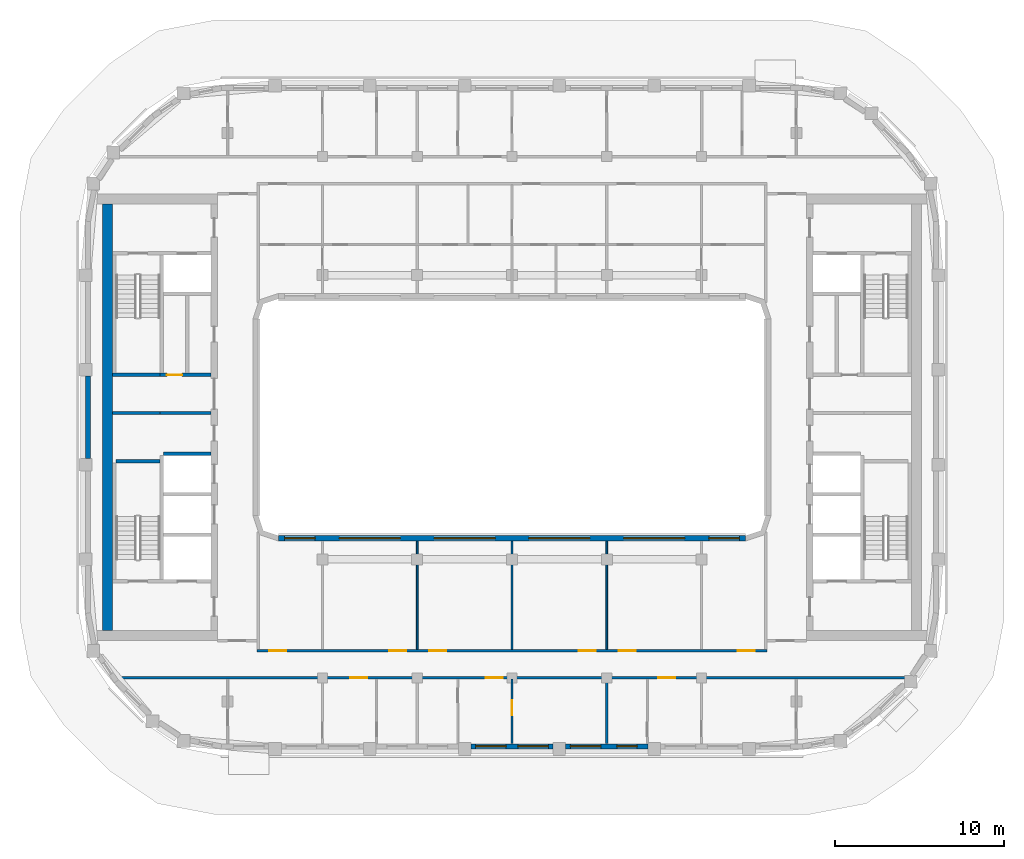
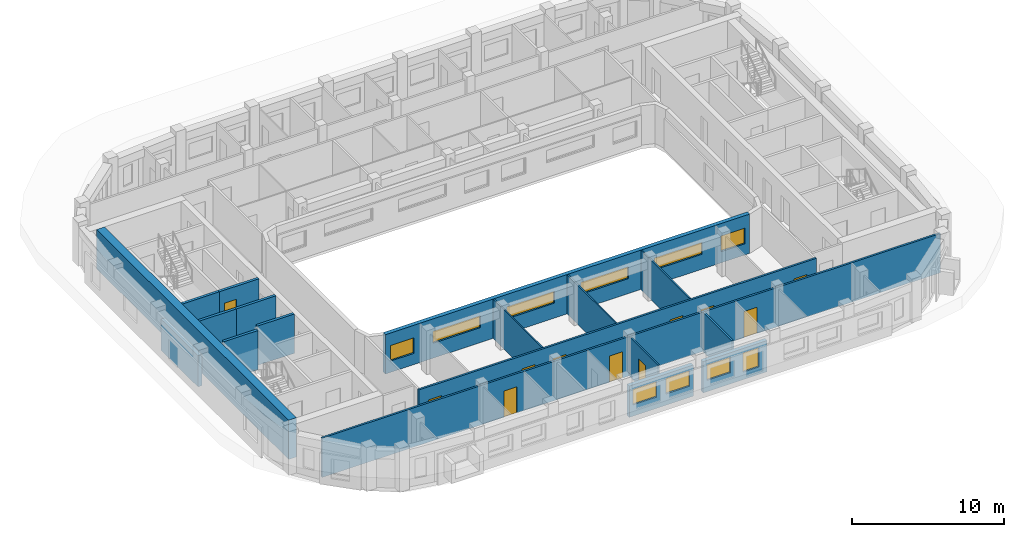
# One storey, part 3 of 14: 18 walls, 11 doors, 10 windows, 21 openings.
"""IFC4 building model written with IfcOpenShell, lengths in metres."""

from ifc_helpers import new_model, si_unit, direction, frame, frame_2d, origin, place, context, subcontext, project, spatial, rectangle, extrude, material, layer, layer_set, type_object, element, fill, save


model = new_model("IFC4")

# Units and contexts
model_context = context("Model", 3, precision=1e-05, world=origin(), true_north=direction((0.0, 1.0)))
body_context = subcontext(model_context, "Body", "Model", "MODEL_VIEW")
ifc_project = project(units=[si_unit("LENGTHUNIT", "METRE"), si_unit("AREAUNIT", "SQUARE_METRE"), si_unit("VOLUMEUNIT", "CUBIC_METRE"), si_unit("PLANEANGLEUNIT", "RADIAN"), si_unit("MASSUNIT", "GRAM", prefix="KILO")], contexts=[model_context])

# Site, building, storey
site_placement = place(None, origin())
site = spatial("IfcSite", under=ifc_project, at=site_placement, CompositionType="ELEMENT")
building_placement = place(site_placement, origin())
building = spatial("IfcBuilding", under=site, at=building_placement, Name="Kiln Ring Residences", CompositionType="ELEMENT")
storey_placement = place(building_placement, frame((0.0, 0.0, 280.199951171875)))
storey = spatial("IfcBuildingStorey", under=building, at=storey_placement, Name="L73", CompositionType="ELEMENT", Elevation=280.199951171875)

# Walls
ifc_material_1 = material(Name="Gypsum board on steel studs", Category="steel")
ifc_layer_1 = layer(ifc_material_1, 0.199951171875)
ifc_layer_set_1 = layer_set([ifc_layer_1], Name="CORE-PARTITION-200")
wall_type_1 = type_object("IfcWallType", Name="CORE-PARTITION-200", PredefinedType="PARTITIONING", material=ifc_layer_set_1)
wall_1_placement = place(storey_placement, frame((-20.800048828125, 0.25, 0.0), z_axis=(0.0, 0.0, 1.0), x_axis=(-1.0, 0.0, 0.0)))
element("IfcWall", 1, at=wall_1_placement, inside=storey, type_object=wall_type_1, Name="Core partition west L73 1", PredefinedType="PARTITIONING", context=body_context, shape_type="SweptSolid", body=[
    extrude(rectangle(XDim=2.800048828125, YDim=0.199951171875, at=frame_2d((1.39990234375, 0.0))), origin(), (0.0, 0.0, 1.0), 3.150146484375),
])
ifc_material_2 = material(Name="Gypsum shaft wall system")
ifc_layer_2 = layer(ifc_material_2, 0.199951171875)
ifc_layer_set_2 = layer_set([ifc_layer_2], Name="CORE-SHAFT-WALL-200")
wall_type_2 = type_object("IfcWallType", Name="CORE-SHAFT-WALL-200", PredefinedType="PARTITIONING", material=ifc_layer_set_2)
wall_2_placement = place(storey_placement, frame((-17.800048828125, -2.14990234375, 0.0), z_axis=(0.0, 0.0, 1.0), x_axis=(-1.0, 0.0, 0.0)))
element("IfcWall", 2, at=wall_2_placement, inside=storey, type_object=wall_type_2, Name="Core partition west L73 5", PredefinedType="PARTITIONING", context=body_context, shape_type="SweptSolid", body=[
    extrude(rectangle(XDim=2.800048828125, YDim=0.199951171875, at=frame_2d((1.39990234375, 0.0))), origin(), (0.0, 0.0, 1.0), 3.150146484375),
])
wall_3_placement = place(storey_placement, frame((-17.800048828125, 0.25, 0.0), z_axis=(0.0, 0.0, 1.0), x_axis=(-1.0, 0.0, 0.0)))
element("IfcWall", 3, at=wall_3_placement, inside=storey, type_object=wall_type_2, Name="Core partition west L73 6", PredefinedType="PARTITIONING", context=body_context, shape_type="SweptSolid", body=[
    extrude(rectangle(XDim=3.0, YDim=0.199951171875, at=frame_2d((1.5, 0.0))), origin(), (0.0, 0.0, 1.0), 3.150146484375),
])

# Wall, opening, door
wall_4_placement = place(storey_placement, frame((-17.800048828125, 2.5, 0.0), z_axis=(0.0, 0.0, 1.0), x_axis=(-1.0, 0.0, 0.0)))
wall_4 = element("IfcWall", 4, at=wall_4_placement, inside=storey, type_object=wall_type_2, Name="Core partition west L73 7", PredefinedType="PARTITIONING", context=body_context, shape_type="SweptSolid", body=[
    extrude(rectangle(XDim=3.0, YDim=0.199951171875, at=frame_2d((1.5, 0.0))), origin(), (0.0, 0.0, 1.0), 3.150146484375),
])
opening_1_placement = place(wall_4_placement, frame((1.699951171875, 0.0, 0.0)))
opening_1 = element("IfcOpeningElement", 5, at=opening_1_placement, cuts=wall_4, Name="Opening L73-CW06", PredefinedType="OPENING", context=body_context, shape_type="SweptSolid", body=[
    extrude(rectangle(XDim=0.89990234375, YDim=2.10009765625, at=frame_2d((0.449951171875, 1.050048828125))), frame((0.0, 0.10986328125, 0.0), z_axis=(0.0, -1.0, 0.0), x_axis=(1.0, 0.0, 0.0)), (0.0, 0.0, 1.0), 0.219970703125),
])
ifc_material_3 = material(Name="Steel door leaf", Category="steel")
door_type_1 = type_object("IfcDoorType", Name="CORE-DOOR-ROOM", OperationType="SINGLE_SWING_LEFT", PredefinedType="DOOR", material=ifc_material_3)
door_1_placement = place(opening_1_placement, origin())
door_1 = element("IfcDoor", 6, at=door_1_placement, inside=storey, type_object=door_type_1, Name="Linen store L73-CW06", OperationType="SINGLE_SWING_LEFT", OverallHeight=2.10009765625, OverallWidth=0.89990234375, PredefinedType="DOOR", context=body_context, shape_type="SweptSolid", body=[
    extrude(rectangle(XDim=0.89990234375, YDim=2.10009765625, at=frame_2d((0.449951171875, 1.050048828125))), frame((0.0, 0.02490234375, 0.0), z_axis=(0.0, -1.0, 0.0), x_axis=(1.0, 0.0, 0.0)), (0.0, 0.0, 1.0), 0.050048828125),
])
fill(opening_1, door_1)

# Walls
ifc_material_4 = material(Name="Concrete C40/50", Category="concrete")
ifc_layer_3 = layer(ifc_material_4, 0.199951171875)
ifc_layer_set_3 = layer_set([ifc_layer_3], Name="CORE-WALL-RC200")
wall_type_3 = type_object("IfcWallType", Name="CORE-WALL-RC200", PredefinedType="SHEAR", material=ifc_layer_set_3)
wall_5_placement = place(storey_placement, frame((-20.800048828125, 2.5, 0.0), z_axis=(0.0, 0.0, 1.0), x_axis=(-1.0, 0.0, 0.0)))
element("IfcWall", 7, at=wall_5_placement, inside=storey, type_object=wall_type_3, Name="Core wall west L73 3", PredefinedType="SHEAR", context=body_context, shape_type="SweptSolid", body=[
    extrude(rectangle(XDim=2.800048828125, YDim=0.199951171875, at=frame_2d((1.39990234375, 0.0))), origin(), (0.0, 0.0, 1.0), 3.150146484375),
])
wall_6_placement = place(storey_placement, frame((-20.800048828125, -2.60009765625, 0.0), z_axis=(0.0, 0.0, 1.0), x_axis=(-1.0, 0.0, 0.0)))
element("IfcWall", 8, at=wall_6_placement, inside=storey, type_object=wall_type_3, Name="Core wall west L73 12", PredefinedType="SHEAR", context=body_context, shape_type="SweptSolid", body=[
    extrude(rectangle(XDim=2.599853515625, YDim=0.199951171875, at=frame_2d((1.2998046875, 0.0))), origin(), (0.0, 0.0, 1.0), 3.150146484375),
])
ifc_material_5 = material(Name="Concrete C60/75", Category="concrete")
ifc_layer_4 = layer(ifc_material_5, 0.60009765625)
ifc_layer_set_4 = layer_set([ifc_layer_4], Name="CORE-WALL-RC600")
wall_type_4 = type_object("IfcWallType", Name="CORE-WALL-RC600", PredefinedType="SHEAR", material=ifc_layer_set_4)
wall_7_placement = place(storey_placement, frame((-23.89990234375, -12.60009765625, 0.0), z_axis=(0.0, 0.0, 1.0), x_axis=(0.0, 1.0, 0.0)))
element("IfcWall", 9, at=wall_7_placement, inside=storey, type_object=wall_type_4, Name="Core wall west L73 7", PredefinedType="SHEAR", context=body_context, shape_type="SweptSolid", body=[
    extrude(rectangle(XDim=25.2001953125, YDim=0.60009765625, at=frame_2d((12.60009765625, 0.0))), origin(), (0.0, 0.0, 1.0), 3.150146484375),
])

# Wall, openings, windows
ifc_material_6 = material(Name="Brick masonry, dark clay brick", Category="masonry")
ifc_layer_5 = layer(ifc_material_6, 0.300048828125)
ifc_layer_set_5 = layer_set([ifc_layer_5], Name="EW-300 BRICK WALL")
wall_type_5 = type_object("IfcWallType", Name="EW-300 BRICK WALL", PredefinedType="SOLIDWALL", material=ifc_layer_set_5)
wall_8_placement = place(storey_placement, frame((-2.425048828125, -19.449951171875, 0.0), z_axis=(0.0, 0.0, 1.0), x_axis=(1.0, 0.0, 0.0)))
wall_8 = element("IfcWall", 10, at=wall_8_placement, inside=storey, type_object=wall_type_5, Name="Facade wall L73 7", PredefinedType="SOLIDWALL", context=body_context, shape_type="SweptSolid", body=[
    extrude(rectangle(XDim=4.85009765625, YDim=0.300048828125, at=frame_2d((2.425048828125, 0.0))), origin(), (0.0, 0.0, 1.0), 2.5),
])
opening_2_placement = place(wall_8_placement, frame((0.27490234375, 0.0, 0.89990234375)))
opening_2 = element("IfcOpeningElement", 11, at=opening_2_placement, cuts=wall_8, Name="Opening W2", PredefinedType="OPENING", context=body_context, shape_type="SweptSolid", body=[
    extrude(rectangle(XDim=1.800048828125, YDim=1.25, at=frame_2d((0.89990234375, 0.625))), frame((0.0, 0.159912109375, 0.0), z_axis=(0.0, -1.0, 0.0), x_axis=(1.0, 0.0, 0.0)), (0.0, 0.0, 1.0), 0.320068359375),
])
opening_3_placement = place(wall_8_placement, frame((2.77490234375, 0.0, 0.89990234375)))
opening_3 = element("IfcOpeningElement", 12, at=opening_3_placement, cuts=wall_8, Name="Opening W2", PredefinedType="OPENING", context=body_context, shape_type="SweptSolid", body=[
    extrude(rectangle(XDim=1.800048828125, YDim=1.25, at=frame_2d((0.89990234375, 0.625))), frame((0.0, 0.159912109375, 0.0), z_axis=(0.0, -1.0, 0.0), x_axis=(1.0, 0.0, 0.0)), (0.0, 0.0, 1.0), 0.320068359375),
])
ifc_material_7 = material(Name="Aluminium frame with double glazing", Category="aluminium")
window_type_1 = type_object("IfcWindowType", Name="WINDOW 1800 x 1250", PartitioningType="SINGLE_PANEL", PredefinedType="WINDOW", material=ifc_material_7)
window_1_placement = place(opening_2_placement, origin())
window_1 = element("IfcWindow", 13, at=window_1_placement, inside=storey, type_object=window_type_1, Name="Window L73 8", OverallHeight=1.25, OverallWidth=1.800048828125, PartitioningType="SINGLE_PANEL", PredefinedType="WINDOW", context=body_context, shape_type="SweptSolid", body=[
    extrude(rectangle(XDim=1.800048828125, YDim=1.25, at=frame_2d((0.89990234375, 0.625))), frame((0.0, 0.030029296875, 0.0), z_axis=(0.0, -1.0, 0.0), x_axis=(1.0, 0.0, 0.0)), (0.0, 0.0, 1.0), 0.06005859375),
])
fill(opening_2, window_1)
window_2_placement = place(opening_3_placement, origin())
window_2 = element("IfcWindow", 14, at=window_2_placement, inside=storey, type_object=window_type_1, Name="Window L73 9", OverallHeight=1.25, OverallWidth=1.800048828125, PartitioningType="SINGLE_PANEL", PredefinedType="WINDOW", context=body_context, shape_type="SweptSolid", body=[
    extrude(rectangle(XDim=1.800048828125, YDim=1.25, at=frame_2d((0.89990234375, 0.625))), frame((0.0, 0.030029296875, 0.0), z_axis=(0.0, -1.0, 0.0), x_axis=(1.0, 0.0, 0.0)), (0.0, 0.0, 1.0), 0.06005859375),
])
fill(opening_3, window_2)

wall_9_placement = place(storey_placement, frame((3.175048828125, -19.449951171875, 0.0), z_axis=(0.0, 0.0, 1.0), x_axis=(1.0, 0.0, 0.0)))
wall_9 = element("IfcWall", 15, at=wall_9_placement, inside=storey, type_object=wall_type_5, Name="Facade wall L73 8", PredefinedType="SOLIDWALL", context=body_context, shape_type="SweptSolid", body=[
    extrude(rectangle(XDim=4.849853515625, YDim=0.300048828125, at=frame_2d((2.4248046875, 0.0))), origin(), (0.0, 0.0, 1.0), 2.5),
])
opening_4_placement = place(wall_9_placement, frame((0.27490234375, 0.0, 0.89990234375)))
opening_4 = element("IfcOpeningElement", 16, at=opening_4_placement, cuts=wall_9, Name="Opening W2", PredefinedType="OPENING", context=body_context, shape_type="SweptSolid", body=[
    extrude(rectangle(XDim=1.800048828125, YDim=1.25, at=frame_2d((0.89990234375, 0.625))), frame((0.0, 0.159912109375, 0.0), z_axis=(0.0, -1.0, 0.0), x_axis=(1.0, 0.0, 0.0)), (0.0, 0.0, 1.0), 0.320068359375),
])
opening_5_placement = place(wall_9_placement, frame((3.02490234375, 0.0, 0.60009765625)))
opening_5 = element("IfcOpeningElement", 17, at=opening_5_placement, cuts=wall_9, Name="Opening W1", PredefinedType="OPENING", context=body_context, shape_type="SweptSolid", body=[
    extrude(rectangle(XDim=1.199951171875, YDim=1.550048828125, at=frame_2d((0.60009765625, 0.77490234375))), frame((0.0, 0.159912109375, 0.0), z_axis=(0.0, -1.0, 0.0), x_axis=(1.0, 0.0, 0.0)), (0.0, 0.0, 1.0), 0.320068359375),
])
ifc_material_8 = material(Name="Aluminium frame with double glazing", Category="aluminium")
window_type_2 = type_object("IfcWindowType", Name="WINDOW 1200 x 1550", PartitioningType="SINGLE_PANEL", PredefinedType="WINDOW", material=ifc_material_8)
window_3_placement = place(opening_5_placement, origin())
window_3 = element("IfcWindow", 18, at=window_3_placement, inside=storey, type_object=window_type_2, Name="Window L73 11", OverallHeight=1.550048828125, OverallWidth=1.199951171875, PartitioningType="SINGLE_PANEL", PredefinedType="WINDOW", context=body_context, shape_type="SweptSolid", body=[
    extrude(rectangle(XDim=1.199951171875, YDim=1.550048828125, at=frame_2d((0.60009765625, 0.77490234375))), frame((0.0, 0.030029296875, 0.0), z_axis=(0.0, -1.0, 0.0), x_axis=(1.0, 0.0, 0.0)), (0.0, 0.0, 1.0), 0.06005859375),
])
fill(opening_5, window_3)
window_4_placement = place(opening_4_placement, origin())
window_4 = element("IfcWindow", 19, at=window_4_placement, inside=storey, type_object=window_type_1, Name="Window L73 10", OverallHeight=1.25, OverallWidth=1.800048828125, PartitioningType="SINGLE_PANEL", PredefinedType="WINDOW", context=body_context, shape_type="SweptSolid", body=[
    extrude(rectangle(XDim=1.800048828125, YDim=1.25, at=frame_2d((0.89990234375, 0.625))), frame((0.0, 0.030029296875, 0.0), z_axis=(0.0, -1.0, 0.0), x_axis=(1.0, 0.0, 0.0)), (0.0, 0.0, 1.0), 0.06005859375),
])
fill(opening_4, window_4)

# Wall
wall_10_placement = place(storey_placement, frame((-25.050048828125, 2.425048828125, 0.0), z_axis=(0.0, 0.0, 1.0), x_axis=(0.0, -1.0, 0.0)))
element("IfcWall", 20, at=wall_10_placement, inside=storey, type_object=wall_type_5, Name="Facade wall L73 40", PredefinedType="SOLIDWALL", context=body_context, shape_type="SweptSolid", body=[
    extrude(rectangle(XDim=4.85009765625, YDim=0.300048828125, at=frame_2d((2.425048828125, 0.0))), origin(), (0.0, 0.0, 1.0), 2.5),
])

# Wall, openings, windows
wall_11_placement = place(storey_placement, frame((13.800048828125, -7.14990234375, 0.0), z_axis=(0.0, 0.0, 1.0), x_axis=(-1.0, 0.0, 0.0)))
wall_11 = element("IfcWall", 21, at=wall_11_placement, inside=storey, type_object=wall_type_5, Name="Facade wall L73 48", PredefinedType="SOLIDWALL", context=body_context, shape_type="SweptSolid", body=[
    extrude(rectangle(XDim=27.60009765625, YDim=0.300048828125, at=frame_2d((13.800048828125, 0.0))), origin(), (0.0, 0.0, 1.0), 3.150146484375),
])
opening_6_placement = place(wall_11_placement, frame((0.362548828125, 0.0, 0.89990234375)))
opening_6 = element("IfcOpeningElement", 22, at=opening_6_placement, cuts=wall_11, Name="Opening W2", PredefinedType="OPENING", context=body_context, shape_type="SweptSolid", body=[
    extrude(rectangle(XDim=1.800048828125, YDim=1.25, at=frame_2d((0.89990234375, 0.625))), frame((0.0, 0.159912109375, 0.0), z_axis=(0.0, -1.0, 0.0), x_axis=(1.0, 0.0, 0.0)), (0.0, 0.0, 1.0), 0.320068359375),
])
opening_7_placement = place(wall_11_placement, frame((3.60009765625, 0.0, 1.199951171875)))
opening_7 = element("IfcOpeningElement", 23, at=opening_7_placement, cuts=wall_11, Name="Opening W4", PredefinedType="OPENING", context=body_context, shape_type="SweptSolid", body=[
    extrude(rectangle(XDim=3.60009765625, YDim=0.949951171875, at=frame_2d((1.800048828125, 0.47509765625))), frame((0.0, 0.159912109375, 0.0), z_axis=(0.0, -1.0, 0.0), x_axis=(1.0, 0.0, 0.0)), (0.0, 0.0, 1.0), 0.320068359375),
])
opening_8_placement = place(wall_11_placement, frame((9.199951171875, 0.0, 1.199951171875)))
opening_8 = element("IfcOpeningElement", 24, at=opening_8_placement, cuts=wall_11, Name="Opening W4", PredefinedType="OPENING", context=body_context, shape_type="SweptSolid", body=[
    extrude(rectangle(XDim=3.60009765625, YDim=0.949951171875, at=frame_2d((1.800048828125, 0.47509765625))), frame((0.0, 0.159912109375, 0.0), z_axis=(0.0, -1.0, 0.0), x_axis=(1.0, 0.0, 0.0)), (0.0, 0.0, 1.0), 0.320068359375),
])
opening_9_placement = place(wall_11_placement, frame((14.800048828125, 0.0, 1.199951171875)))
opening_9 = element("IfcOpeningElement", 25, at=opening_9_placement, cuts=wall_11, Name="Opening W4", PredefinedType="OPENING", context=body_context, shape_type="SweptSolid", body=[
    extrude(rectangle(XDim=3.60009765625, YDim=0.949951171875, at=frame_2d((1.800048828125, 0.47509765625))), frame((0.0, 0.159912109375, 0.0), z_axis=(0.0, -1.0, 0.0), x_axis=(1.0, 0.0, 0.0)), (0.0, 0.0, 1.0), 0.320068359375),
])
opening_10_placement = place(wall_11_placement, frame((20.39990234375, 0.0, 1.199951171875)))
opening_10 = element("IfcOpeningElement", 26, at=opening_10_placement, cuts=wall_11, Name="Opening W4", PredefinedType="OPENING", context=body_context, shape_type="SweptSolid", body=[
    extrude(rectangle(XDim=3.60009765625, YDim=0.949951171875, at=frame_2d((1.800048828125, 0.47509765625))), frame((0.0, 0.159912109375, 0.0), z_axis=(0.0, -1.0, 0.0), x_axis=(1.0, 0.0, 0.0)), (0.0, 0.0, 1.0), 0.320068359375),
])
opening_11_placement = place(wall_11_placement, frame((25.4375, 0.0, 0.89990234375)))
opening_11 = element("IfcOpeningElement", 27, at=opening_11_placement, cuts=wall_11, Name="Opening W2", PredefinedType="OPENING", context=body_context, shape_type="SweptSolid", body=[
    extrude(rectangle(XDim=1.800048828125, YDim=1.25, at=frame_2d((0.89990234375, 0.625))), frame((0.0, 0.159912109375, 0.0), z_axis=(0.0, -1.0, 0.0), x_axis=(1.0, 0.0, 0.0)), (0.0, 0.0, 1.0), 0.320068359375),
])
window_5_placement = place(opening_6_placement, origin())
window_5 = element("IfcWindow", 28, at=window_5_placement, inside=storey, type_object=window_type_1, Name="Window L73 44", OverallHeight=1.25, OverallWidth=1.800048828125, PartitioningType="SINGLE_PANEL", PredefinedType="WINDOW", context=body_context, shape_type="SweptSolid", body=[
    extrude(rectangle(XDim=1.800048828125, YDim=1.25, at=frame_2d((0.89990234375, 0.625))), frame((0.0, 0.030029296875, 0.0), z_axis=(0.0, -1.0, 0.0), x_axis=(1.0, 0.0, 0.0)), (0.0, 0.0, 1.0), 0.06005859375),
])
fill(opening_6, window_5)
window_6_placement = place(opening_11_placement, origin())
window_6 = element("IfcWindow", 29, at=window_6_placement, inside=storey, type_object=window_type_1, Name="Window L73 49", OverallHeight=1.25, OverallWidth=1.800048828125, PartitioningType="SINGLE_PANEL", PredefinedType="WINDOW", context=body_context, shape_type="SweptSolid", body=[
    extrude(rectangle(XDim=1.800048828125, YDim=1.25, at=frame_2d((0.89990234375, 0.625))), frame((0.0, 0.030029296875, 0.0), z_axis=(0.0, -1.0, 0.0), x_axis=(1.0, 0.0, 0.0)), (0.0, 0.0, 1.0), 0.06005859375),
])
fill(opening_11, window_6)
ifc_material_9 = material(Name="Aluminium frame with double glazing", Category="aluminium")
window_type_3 = type_object("IfcWindowType", Name="WINDOW 3600 x 950", PartitioningType="SINGLE_PANEL", PredefinedType="WINDOW", material=ifc_material_9)
window_7_placement = place(opening_7_placement, origin())
window_7 = element("IfcWindow", 30, at=window_7_placement, inside=storey, type_object=window_type_3, Name="Window L73 45", OverallHeight=0.949951171875, OverallWidth=3.60009765625, PartitioningType="SINGLE_PANEL", PredefinedType="WINDOW", context=body_context, shape_type="SweptSolid", body=[
    extrude(rectangle(XDim=3.60009765625, YDim=0.949951171875, at=frame_2d((1.800048828125, 0.47509765625))), frame((0.0, 0.030029296875, 0.0), z_axis=(0.0, -1.0, 0.0), x_axis=(1.0, 0.0, 0.0)), (0.0, 0.0, 1.0), 0.06005859375),
])
fill(opening_7, window_7)
window_8_placement = place(opening_8_placement, origin())
window_8 = element("IfcWindow", 31, at=window_8_placement, inside=storey, type_object=window_type_3, Name="Window L73 46", OverallHeight=0.949951171875, OverallWidth=3.60009765625, PartitioningType="SINGLE_PANEL", PredefinedType="WINDOW", context=body_context, shape_type="SweptSolid", body=[
    extrude(rectangle(XDim=3.60009765625, YDim=0.949951171875, at=frame_2d((1.800048828125, 0.47509765625))), frame((0.0, 0.030029296875, 0.0), z_axis=(0.0, -1.0, 0.0), x_axis=(1.0, 0.0, 0.0)), (0.0, 0.0, 1.0), 0.06005859375),
])
fill(opening_8, window_8)
window_9_placement = place(opening_9_placement, origin())
window_9 = element("IfcWindow", 32, at=window_9_placement, inside=storey, type_object=window_type_3, Name="Window L73 47", OverallHeight=0.949951171875, OverallWidth=3.60009765625, PartitioningType="SINGLE_PANEL", PredefinedType="WINDOW", context=body_context, shape_type="SweptSolid", body=[
    extrude(rectangle(XDim=3.60009765625, YDim=0.949951171875, at=frame_2d((1.800048828125, 0.47509765625))), frame((0.0, 0.030029296875, 0.0), z_axis=(0.0, -1.0, 0.0), x_axis=(1.0, 0.0, 0.0)), (0.0, 0.0, 1.0), 0.06005859375),
])
fill(opening_9, window_9)
window_10_placement = place(opening_10_placement, origin())
window_10 = element("IfcWindow", 33, at=window_10_placement, inside=storey, type_object=window_type_3, Name="Window L73 48", OverallHeight=0.949951171875, OverallWidth=3.60009765625, PartitioningType="SINGLE_PANEL", PredefinedType="WINDOW", context=body_context, shape_type="SweptSolid", body=[
    extrude(rectangle(XDim=3.60009765625, YDim=0.949951171875, at=frame_2d((1.800048828125, 0.47509765625))), frame((0.0, 0.030029296875, 0.0), z_axis=(0.0, -1.0, 0.0), x_axis=(1.0, 0.0, 0.0)), (0.0, 0.0, 1.0), 0.06005859375),
])
fill(opening_10, window_10)

# Wall
ifc_material_10 = material(Name="Gypsum board on steel studs", Category="steel")
ifc_layer_6 = layer(ifc_material_10, 0.10009765625)
ifc_layer_set_6 = layer_set([ifc_layer_6], Name="PARTITION-100")
wall_type_6 = type_object("IfcWallType", Name="PARTITION-100", PredefinedType="PARTITIONING", material=ifc_layer_set_6)
wall_12_placement = place(storey_placement, frame((-5.60009765625, -13.72509765625, 0.0), z_axis=(0.0, 0.0, 1.0), x_axis=(0.0, 1.0, 0.0)))
element("IfcWall", 34, at=wall_12_placement, inside=storey, type_object=wall_type_6, Name="Partition 020", PredefinedType="PARTITIONING", context=body_context, shape_type="SweptSolid", body=[
    extrude(rectangle(XDim=6.405029296875, YDim=0.10009765625, at=frame_2d((3.20263671875, 0.0))), origin(), (0.0, 0.0, 1.0), 3.150146484375),
])

# Wall, opening, door
wall_13_placement = place(storey_placement, frame((0.0, -19.280029296875, 0.0), z_axis=(0.0, 0.0, 1.0), x_axis=(0.0, 1.0, 0.0)))
wall_13 = element("IfcWall", 35, at=wall_13_placement, inside=storey, type_object=wall_type_6, Name="Partition 028", PredefinedType="PARTITIONING", context=body_context, shape_type="SweptSolid", body=[
    extrude(rectangle(XDim=3.804931640625, YDim=0.10009765625, at=frame_2d((1.90234375, 0.0))), origin(), (0.0, 0.0, 1.0), 3.150146484375),
])
opening_12_placement = place(wall_13_placement, frame((1.669921875, 0.0, 0.0)))
opening_12 = element("IfcOpeningElement", 36, at=opening_12_placement, cuts=wall_13, Name="Opening L73-D042", PredefinedType="OPENING", context=body_context, shape_type="SweptSolid", body=[
    extrude(rectangle(XDim=0.89990234375, YDim=2.10009765625, at=frame_2d((0.449951171875, 1.050048828125))), frame((0.0, 0.06005859375, 0.0), z_axis=(0.0, -1.0, 0.0), x_axis=(1.0, 0.0, 0.0)), (0.0, 0.0, 1.0), 0.1201171875),
])
ifc_material_11 = material(Name="Timber door leaf", Category="wood")
door_type_2 = type_object("IfcDoorType", Name="FLAT-DOOR-900-PL", OperationType="SINGLE_SWING_LEFT", PredefinedType="DOOR", material=ifc_material_11)
door_2_placement = place(opening_12_placement, origin())
door_2 = element("IfcDoor", 37, at=door_2_placement, inside=storey, type_object=door_type_2, Name="Door L73-D042", OperationType="SINGLE_SWING_RIGHT", OverallHeight=2.10009765625, OverallWidth=0.89990234375, PredefinedType="DOOR", context=body_context, shape_type="SweptSolid", body=[
    extrude(rectangle(XDim=0.89990234375, YDim=2.10009765625, at=frame_2d((0.449951171875, 1.050048828125))), frame((0.0, 0.02490234375, 0.0), z_axis=(0.0, -1.0, 0.0), x_axis=(1.0, 0.0, 0.0)), (0.0, 0.0, 1.0), 0.050048828125),
])
fill(opening_12, door_2)

# Walls
for number, where, z_axis, x_axis, name in (
    (38, (0.0, -13.72509765625, 0.0), (0.0, 0.0, 1.0), (0.0, 1.0, 0.0), "Partition 029"),
    (39, (5.60009765625, -13.72509765625, 0.0), (0.0, 0.0, 1.0), (0.0, 1.0, 0.0), "Partition 034"),
):
    element("IfcWall", number, at=place(storey_placement, frame(where, z_axis=z_axis, x_axis=x_axis)), inside=storey, type_object=wall_type_6, Name=name, PredefinedType="PARTITIONING", context=body_context, shape_type="SweptSolid", body=[
        extrude(rectangle(XDim=6.405029296875, YDim=0.10009765625, at=frame_2d((3.20263671875, 0.0))), origin(), (0.0, 0.0, 1.0), 3.150146484375),
    ])

# Wall, openings, doors
ifc_material_12 = material(Name="Brick masonry partition", Category="masonry")
ifc_layer_7 = layer(ifc_material_12, 0.14990234375)
ifc_layer_set_7 = layer_set([ifc_layer_7], Name="PARTITION-150-ei60")
wall_type_7 = type_object("IfcWallType", Name="PARTITION-150-ei60", PredefinedType="PARTITIONING", material=ifc_layer_set_7)
wall_14_placement = place(storey_placement, frame((-23.322021484375, -15.39990234375, 0.0), z_axis=(0.0, 0.0, 1.0), x_axis=(1.0, 0.0, 0.0)))
wall_14 = element("IfcWall", 40, at=wall_14_placement, inside=storey, type_object=wall_type_7, Name="Partition 000", PredefinedType="PARTITIONING", context=body_context, shape_type="SweptSolid", body=[
    extrude(rectangle(XDim=46.8720703125, YDim=0.14990234375, at=frame_2d((23.43603515625, 0.0))), origin(), (0.0, 0.0, 1.0), 3.150146484375),
])
opening_13_placement = place(wall_14_placement, frame((13.772216796875, 0.0, 0.0)))
opening_13 = element("IfcOpeningElement", 41, at=opening_13_placement, cuts=wall_14, Name="Opening L73-D036", PredefinedType="OPENING", context=body_context, shape_type="SweptSolid", body=[
    extrude(rectangle(XDim=1.0, YDim=2.10009765625, at=frame_2d((0.5, 1.050048828125))), frame((0.0, 0.0849609375, 0.0), z_axis=(0.0, -1.0, 0.0), x_axis=(1.0, 0.0, 0.0)), (0.0, 0.0, 1.0), 0.169921875),
])
opening_14_placement = place(wall_14_placement, frame((21.772216796875, 0.0, 0.0)))
opening_14 = element("IfcOpeningElement", 42, at=opening_14_placement, cuts=wall_14, Name="Opening L73-D040", PredefinedType="OPENING", context=body_context, shape_type="SweptSolid", body=[
    extrude(rectangle(XDim=1.0, YDim=2.10009765625, at=frame_2d((0.5, 1.050048828125))), frame((0.0, 0.0849609375, 0.0), z_axis=(0.0, -1.0, 0.0), x_axis=(1.0, 0.0, 0.0)), (0.0, 0.0, 1.0), 0.169921875),
])
opening_15_placement = place(wall_14_placement, frame((31.97216796875, 0.0, 0.0)))
opening_15 = element("IfcOpeningElement", 43, at=opening_15_placement, cuts=wall_14, Name="Opening L73-D043", PredefinedType="OPENING", context=body_context, shape_type="SweptSolid", body=[
    extrude(rectangle(XDim=1.0, YDim=2.10009765625, at=frame_2d((0.5, 1.050048828125))), frame((0.0, 0.0849609375, 0.0), z_axis=(0.0, -1.0, 0.0), x_axis=(1.0, 0.0, 0.0)), (0.0, 0.0, 1.0), 0.169921875),
])
ifc_material_13 = material(Name="Steel faced fire door leaf", Category="steel")
door_type_3 = type_object("IfcDoorType", Name="FLAT-DOOR-1000-FR", OperationType="SINGLE_SWING_LEFT", PredefinedType="DOOR", material=ifc_material_13)
door_3_placement = place(opening_13_placement, origin())
door_3 = element("IfcDoor", 44, at=door_3_placement, inside=storey, type_object=door_type_3, Name="Door L73-D036", OperationType="SINGLE_SWING_RIGHT", OverallHeight=2.10009765625, OverallWidth=1.0, PredefinedType="DOOR", context=body_context, shape_type="SweptSolid", body=[
    extrude(rectangle(XDim=1.0, YDim=2.10009765625, at=frame_2d((0.5, 1.050048828125))), frame((0.0, 0.02490234375, 0.0), z_axis=(0.0, -1.0, 0.0), x_axis=(1.0, 0.0, 0.0)), (0.0, 0.0, 1.0), 0.050048828125),
])
fill(opening_13, door_3)
door_4_placement = place(opening_14_placement, origin())
door_4 = element("IfcDoor", 45, at=door_4_placement, inside=storey, type_object=door_type_3, Name="Door L73-D040", OperationType="SINGLE_SWING_RIGHT", OverallHeight=2.10009765625, OverallWidth=1.0, PredefinedType="DOOR", context=body_context, shape_type="SweptSolid", body=[
    extrude(rectangle(XDim=1.0, YDim=2.10009765625, at=frame_2d((0.5, 1.050048828125))), frame((0.0, 0.02490234375, 0.0), z_axis=(0.0, -1.0, 0.0), x_axis=(1.0, 0.0, 0.0)), (0.0, 0.0, 1.0), 0.050048828125),
])
fill(opening_14, door_4)
door_5_placement = place(opening_15_placement, origin())
door_5 = element("IfcDoor", 46, at=door_5_placement, inside=storey, type_object=door_type_3, Name="Door L73-D043", OperationType="SINGLE_SWING_LEFT", OverallHeight=2.10009765625, OverallWidth=1.0, PredefinedType="DOOR", context=body_context, shape_type="SweptSolid", body=[
    extrude(rectangle(XDim=1.0, YDim=2.10009765625, at=frame_2d((0.5, 1.050048828125))), frame((0.0, 0.02490234375, 0.0), z_axis=(0.0, -1.0, 0.0), x_axis=(1.0, 0.0, 0.0)), (0.0, 0.0, 1.0), 0.050048828125),
])
fill(opening_15, door_5)

wall_15_placement = place(storey_placement, frame((-15.074951171875, -13.800048828125, 0.0), z_axis=(0.0, 0.0, 1.0), x_axis=(1.0, 0.0, 0.0)))
wall_15 = element("IfcWall", 47, at=wall_15_placement, inside=storey, type_object=wall_type_7, Name="Partition 001", PredefinedType="PARTITIONING", context=body_context, shape_type="SweptSolid", body=[
    extrude(rectangle(XDim=30.14990234375, YDim=0.14990234375, at=frame_2d((15.074951171875, 0.0))), origin(), (0.0, 0.0, 1.0), 3.150146484375),
])
opening_16_placement = place(wall_15_placement, frame((0.72509765625, 0.0, 0.0)))
opening_16 = element("IfcOpeningElement", 48, at=opening_16_placement, cuts=wall_15, Name="Opening L73-D030", PredefinedType="OPENING", context=body_context, shape_type="SweptSolid", body=[
    extrude(rectangle(XDim=1.0, YDim=2.10009765625, at=frame_2d((0.5, 1.050048828125))), frame((0.0, 0.0849609375, 0.0), z_axis=(0.0, -1.0, 0.0), x_axis=(1.0, 0.0, 0.0)), (0.0, 0.0, 1.0), 0.169921875),
])
opening_17_placement = place(wall_15_placement, frame((7.824951171875, 0.0, 0.0)))
opening_17 = element("IfcOpeningElement", 49, at=opening_17_placement, cuts=wall_15, Name="Opening L73-D031", PredefinedType="OPENING", context=body_context, shape_type="SweptSolid", body=[
    extrude(rectangle(XDim=1.0, YDim=2.10009765625, at=frame_2d((0.5, 1.050048828125))), frame((0.0, 0.0849609375, 0.0), z_axis=(0.0, -1.0, 0.0), x_axis=(1.0, 0.0, 0.0)), (0.0, 0.0, 1.0), 0.169921875),
])
opening_18_placement = place(wall_15_placement, frame((10.175048828125, 0.0, 0.0)))
opening_18 = element("IfcOpeningElement", 50, at=opening_18_placement, cuts=wall_15, Name="Opening L73-D032", PredefinedType="OPENING", context=body_context, shape_type="SweptSolid", body=[
    extrude(rectangle(XDim=1.0, YDim=2.10009765625, at=frame_2d((0.5, 1.050048828125))), frame((0.0, 0.0849609375, 0.0), z_axis=(0.0, -1.0, 0.0), x_axis=(1.0, 0.0, 0.0)), (0.0, 0.0, 1.0), 0.169921875),
])
opening_19_placement = place(wall_15_placement, frame((19.02490234375, 0.0, 0.0)))
opening_19 = element("IfcOpeningElement", 51, at=opening_19_placement, cuts=wall_15, Name="Opening L73-D033", PredefinedType="OPENING", context=body_context, shape_type="SweptSolid", body=[
    extrude(rectangle(XDim=1.0, YDim=2.10009765625, at=frame_2d((0.5, 1.050048828125))), frame((0.0, 0.0849609375, 0.0), z_axis=(0.0, -1.0, 0.0), x_axis=(1.0, 0.0, 0.0)), (0.0, 0.0, 1.0), 0.169921875),
])
opening_20_placement = place(wall_15_placement, frame((21.375, 0.0, 0.0)))
opening_20 = element("IfcOpeningElement", 52, at=opening_20_placement, cuts=wall_15, Name="Opening L73-D034", PredefinedType="OPENING", context=body_context, shape_type="SweptSolid", body=[
    extrude(rectangle(XDim=1.0, YDim=2.10009765625, at=frame_2d((0.5, 1.050048828125))), frame((0.0, 0.0849609375, 0.0), z_axis=(0.0, -1.0, 0.0), x_axis=(1.0, 0.0, 0.0)), (0.0, 0.0, 1.0), 0.169921875),
])
opening_21_placement = place(wall_15_placement, frame((28.424072265625, 0.0, 0.0)))
opening_21 = element("IfcOpeningElement", 53, at=opening_21_placement, cuts=wall_15, Name="Opening L73-D035", PredefinedType="OPENING", context=body_context, shape_type="SweptSolid", body=[
    extrude(rectangle(XDim=1.0, YDim=2.10009765625, at=frame_2d((0.5, 1.050048828125))), frame((0.0, 0.0849609375, 0.0), z_axis=(0.0, -1.0, 0.0), x_axis=(1.0, 0.0, 0.0)), (0.0, 0.0, 1.0), 0.169921875),
])
door_6_placement = place(opening_16_placement, origin())
door_6 = element("IfcDoor", 54, at=door_6_placement, inside=storey, type_object=door_type_3, Name="Door L73-D030", OperationType="SINGLE_SWING_RIGHT", OverallHeight=2.10009765625, OverallWidth=1.0, PredefinedType="DOOR", context=body_context, shape_type="SweptSolid", body=[
    extrude(rectangle(XDim=1.0, YDim=2.10009765625, at=frame_2d((0.5, 1.050048828125))), frame((0.0, 0.02490234375, 0.0), z_axis=(0.0, -1.0, 0.0), x_axis=(1.0, 0.0, 0.0)), (0.0, 0.0, 1.0), 0.050048828125),
])
fill(opening_16, door_6)
door_7_placement = place(opening_17_placement, origin())
door_7 = element("IfcDoor", 55, at=door_7_placement, inside=storey, type_object=door_type_3, Name="Door L73-D031", OperationType="SINGLE_SWING_LEFT", OverallHeight=2.10009765625, OverallWidth=1.0, PredefinedType="DOOR", context=body_context, shape_type="SweptSolid", body=[
    extrude(rectangle(XDim=1.0, YDim=2.10009765625, at=frame_2d((0.5, 1.050048828125))), frame((0.0, 0.02490234375, 0.0), z_axis=(0.0, -1.0, 0.0), x_axis=(1.0, 0.0, 0.0)), (0.0, 0.0, 1.0), 0.050048828125),
])
fill(opening_17, door_7)
door_8_placement = place(opening_18_placement, origin())
door_8 = element("IfcDoor", 56, at=door_8_placement, inside=storey, type_object=door_type_3, Name="Door L73-D032", OperationType="SINGLE_SWING_RIGHT", OverallHeight=2.10009765625, OverallWidth=1.0, PredefinedType="DOOR", context=body_context, shape_type="SweptSolid", body=[
    extrude(rectangle(XDim=1.0, YDim=2.10009765625, at=frame_2d((0.5, 1.050048828125))), frame((0.0, 0.02490234375, 0.0), z_axis=(0.0, -1.0, 0.0), x_axis=(1.0, 0.0, 0.0)), (0.0, 0.0, 1.0), 0.050048828125),
])
fill(opening_18, door_8)
door_9_placement = place(opening_19_placement, origin())
door_9 = element("IfcDoor", 57, at=door_9_placement, inside=storey, type_object=door_type_3, Name="Door L73-D033", OperationType="SINGLE_SWING_LEFT", OverallHeight=2.10009765625, OverallWidth=1.0, PredefinedType="DOOR", context=body_context, shape_type="SweptSolid", body=[
    extrude(rectangle(XDim=1.0, YDim=2.10009765625, at=frame_2d((0.5, 1.050048828125))), frame((0.0, 0.02490234375, 0.0), z_axis=(0.0, -1.0, 0.0), x_axis=(1.0, 0.0, 0.0)), (0.0, 0.0, 1.0), 0.050048828125),
])
fill(opening_19, door_9)
door_10_placement = place(opening_20_placement, origin())
door_10 = element("IfcDoor", 58, at=door_10_placement, inside=storey, type_object=door_type_3, Name="Door L73-D034", OperationType="SINGLE_SWING_RIGHT", OverallHeight=2.10009765625, OverallWidth=1.0, PredefinedType="DOOR", context=body_context, shape_type="SweptSolid", body=[
    extrude(rectangle(XDim=1.0, YDim=2.10009765625, at=frame_2d((0.5, 1.050048828125))), frame((0.0, 0.02490234375, 0.0), z_axis=(0.0, -1.0, 0.0), x_axis=(1.0, 0.0, 0.0)), (0.0, 0.0, 1.0), 0.050048828125),
])
fill(opening_20, door_10)
door_11_placement = place(opening_21_placement, origin())
door_11 = element("IfcDoor", 59, at=door_11_placement, inside=storey, type_object=door_type_3, Name="Door L73-D035", OperationType="SINGLE_SWING_LEFT", OverallHeight=2.10009765625, OverallWidth=1.0, PredefinedType="DOOR", context=body_context, shape_type="SweptSolid", body=[
    extrude(rectangle(XDim=1.0, YDim=2.10009765625, at=frame_2d((0.5, 1.050048828125))), frame((0.0, 0.02490234375, 0.0), z_axis=(0.0, -1.0, 0.0), x_axis=(1.0, 0.0, 0.0)), (0.0, 0.0, 1.0), 0.050048828125),
])
fill(opening_21, door_11)

# Wall
wall_16_placement = place(storey_placement, frame((5.60009765625, -19.280029296875, 0.0), z_axis=(0.0, 0.0, 1.0), x_axis=(0.0, 1.0, 0.0)))
element("IfcWall", 60, at=wall_16_placement, inside=storey, type_object=wall_type_7, Name="Partition 036", PredefinedType="PARTITIONING", context=body_context, shape_type="SweptSolid", body=[
    extrude(rectangle(XDim=3.804931640625, YDim=0.14990234375, at=frame_2d((1.90234375, 0.0))), origin(), (0.0, 0.0, 1.0), 3.150146484375),
])

save(model, "model.ifc")
